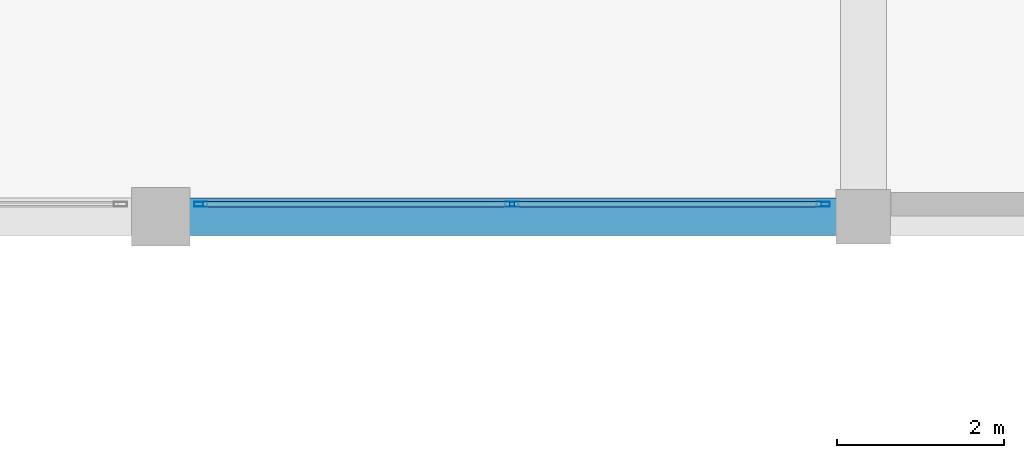
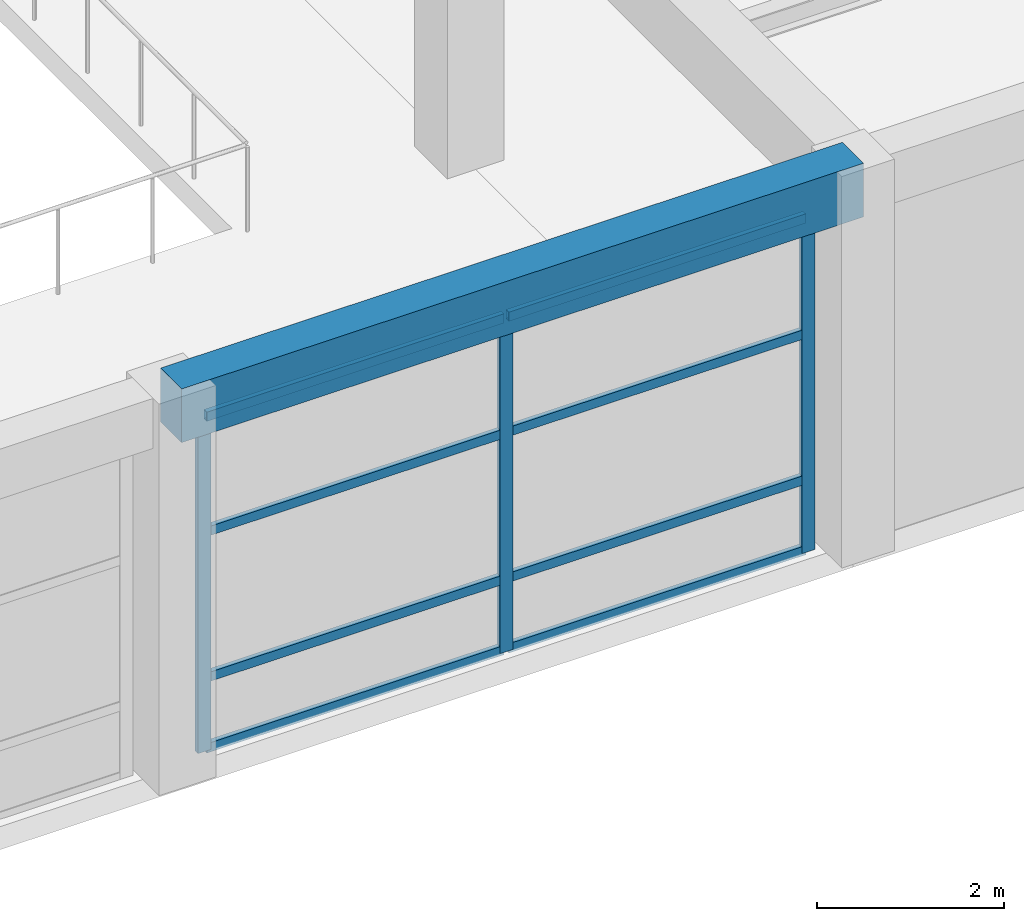
# One storey, part 14 of 65: 11 members, 1 beam, 1 element without a shape of its own.
"""IFC4 building model written with IfcOpenShell, lengths in metres."""

from ifc_helpers import new_model, si_unit, direction, frame, origin, origin_2d, place, context, subcontext, project, spatial, rectangle, hollow_rectangle, extrude, material, material_profile, profile_set, type_object, element, aggregate, save


model = new_model("IFC4")

# Units and contexts
model_context = context("Model", 3, precision=1e-05, world=origin(), true_north=direction((0.0, 1.0)))
body_context = subcontext(model_context, "Body", "Model", "MODEL_VIEW")
ifc_project = project(units=[si_unit("LENGTHUNIT", "METRE"), si_unit("AREAUNIT", "SQUARE_METRE"), si_unit("VOLUMEUNIT", "CUBIC_METRE"), si_unit("PLANEANGLEUNIT", "RADIAN"), si_unit("MASSUNIT", "GRAM", prefix="KILO")], contexts=[model_context])

# Site, building, storey
site_placement = place(None, origin())
site = spatial("IfcSite", under=ifc_project, at=site_placement, CompositionType="ELEMENT")
building_placement = place(site_placement, origin())
building = spatial("IfcBuilding", under=site, at=building_placement, Name="Almacenes y Pasaje Nevantli", CompositionType="ELEMENT")
storey_placement = place(building_placement, frame((0.0, 0.0, 16.800048828125)))
storey = spatial("IfcBuildingStorey", under=building, at=storey_placement, Name="L04", CompositionType="ELEMENT", Elevation=16.800048828125)

# Beam
ifc_material_1 = material(Name="Concrete C35/45", Category="concrete")
ifc_material_profile_1 = material_profile(ifc_material_1, rectangle(XDim=0.449951171875, YDim=0.699951171875, at=origin_2d()), Name="RC-BM-450x700")
ifc_profile_set_1 = profile_set([ifc_material_profile_1], Name="Concrete C35/45")
beam_type = type_object("IfcBeamType", Name="BM-RC-450x700", PredefinedType="SPANDREL", material=ifc_profile_set_1)
beam_placement = place(storey_placement, frame((84.0, 0.0, 4.75), z_axis=(1.0, 0.0, 0.0), x_axis=(0.0, 1.0, 0.0)))
element("IfcBeam", 1, at=beam_placement, inside=storey, type_object=beam_type, Name="L04 East-West Reinforced Concrete Beam #2757", PredefinedType="SPANDREL", context=body_context, shape_type="SweptSolid", body=[
    extrude(rectangle(XDim=0.449951171875, YDim=0.699951171875, at=origin_2d()), origin(), (0.0, 0.0, 1.0), 8.39990234375),
])

# Curtain wall, members
ifc_material_2 = material(Name="Thermally Broken Aluminium and Low-E Glass", Category="aluminium")
curtain_wall_type = type_object("IfcCurtainWallType", Name="CW-STF-ARCADE", PredefinedType="USERDEFINED", material=ifc_material_2)
curtain_wall_placement = place(storey_placement, origin())
curtain_wall = element("IfcCurtainWall", 2, at=curtain_wall_placement, inside=storey, type_object=curtain_wall_type, Name="L04 South Arcade Portal Curtain Wall Bay 11", ObjectType="STOREFRONT GLAZING", PredefinedType="USERDEFINED")
ifc_material_3 = material(Name="Thermally Broken Anodized Aluminium", Category="aluminium")
ifc_material_profile_2 = material_profile(ifc_material_3, hollow_rectangle(XDim=0.06005859375, YDim=0.159912109375, WallThickness=0.00390625, at=origin_2d()), Name="ALU-MUL-60x160")
ifc_profile_set_2 = profile_set([ifc_material_profile_2], Name="Thermally Broken Anodized Aluminium")
member_type_1 = type_object("IfcMemberType", Name="CW-MUL-180", PredefinedType="MULLION", material=ifc_profile_set_2)
member_1_placement = place(storey_placement, frame((84.47998046875, 0.14990234375, 0.0), z_axis=(0.0, 0.0, 1.0), x_axis=(0.0, 1.0, 0.0)))
member_1 = element("IfcMember", 3, at=member_1_placement, type_object=member_type_1, Name="CW-L04-072 mullion 1", PredefinedType="MULLION", context=body_context, shape_type="SweptSolid", body=[
    extrude(hollow_rectangle(XDim=0.06005859375, YDim=0.159912109375, WallThickness=0.00390625, at=origin_2d()), origin(), (0.0, 0.0, 1.0), 4.3798828125),
])
member_2_placement = place(storey_placement, frame((88.199951171875, 0.14990234375, 0.0), z_axis=(0.0, 0.0, 1.0), x_axis=(0.0, 1.0, 0.0)))
member_2 = element("IfcMember", 4, at=member_2_placement, type_object=member_type_1, Name="CW-L04-072 mullion 2", PredefinedType="MULLION", context=body_context, shape_type="SweptSolid", body=[
    extrude(hollow_rectangle(XDim=0.06005859375, YDim=0.159912109375, WallThickness=0.00390625, at=origin_2d()), origin(), (0.0, 0.0, 1.0), 4.3798828125),
])
member_3_placement = place(storey_placement, frame((91.919921875, 0.14990234375, 0.0), z_axis=(0.0, 0.0, 1.0), x_axis=(0.0, 1.0, 0.0)))
member_3 = element("IfcMember", 5, at=member_3_placement, type_object=member_type_1, Name="CW-L04-072 mullion 3", PredefinedType="MULLION", context=body_context, shape_type="SweptSolid", body=[
    extrude(hollow_rectangle(XDim=0.06005859375, YDim=0.159912109375, WallThickness=0.00390625, at=origin_2d()), origin(), (0.0, 0.0, 1.0), 4.3798828125),
])
ifc_material_4 = material(Name="Thermally Broken Anodized Aluminium", Category="aluminium")
ifc_material_profile_3 = material_profile(ifc_material_4, hollow_rectangle(XDim=0.06005859375, YDim=0.1201171875, WallThickness=0.00341796875, at=origin_2d()), Name="ALU-TRN-60x120")
ifc_profile_set_3 = profile_set([ifc_material_profile_3], Name="Thermally Broken Anodized Aluminium")
member_type_2 = type_object("IfcMemberType", Name="CW-TRN-130", PredefinedType="USERDEFINED", material=ifc_profile_set_3)
member_4_placement = place(storey_placement, frame((84.510009765625, 0.14990234375, 0.030029296875), z_axis=(1.0, 0.0, 0.0), x_axis=(0.0, 1.0, 0.0)))
member_4 = element("IfcMember", 6, at=member_4_placement, type_object=member_type_2, Name="CW-L04-072 transom 1.1", ObjectType="TRANSOM", PredefinedType="USERDEFINED", context=body_context, shape_type="SweptSolid", body=[
    extrude(hollow_rectangle(XDim=0.06005859375, YDim=0.1201171875, WallThickness=0.00341796875, at=origin_2d()), origin(), (0.0, 0.0, 1.0), 3.659912109375),
])
member_5_placement = place(storey_placement, frame((84.510009765625, 0.14990234375, 0.949951171875), z_axis=(1.0, 0.0, 0.0), x_axis=(0.0, 1.0, 0.0)))
member_5 = element("IfcMember", 7, at=member_5_placement, type_object=member_type_2, Name="CW-L04-072 transom 1.2", ObjectType="TRANSOM", PredefinedType="USERDEFINED", context=body_context, shape_type="SweptSolid", body=[
    extrude(hollow_rectangle(XDim=0.06005859375, YDim=0.1201171875, WallThickness=0.00341796875, at=origin_2d()), origin(), (0.0, 0.0, 1.0), 3.659912109375),
])
member_6_placement = place(storey_placement, frame((84.510009765625, 0.14990234375, 2.849853515625), z_axis=(1.0, 0.0, 0.0), x_axis=(0.0, 1.0, 0.0)))
member_6 = element("IfcMember", 8, at=member_6_placement, type_object=member_type_2, Name="CW-L04-072 transom 1.3", ObjectType="TRANSOM", PredefinedType="USERDEFINED", context=body_context, shape_type="SweptSolid", body=[
    extrude(hollow_rectangle(XDim=0.06005859375, YDim=0.1201171875, WallThickness=0.00341796875, at=origin_2d()), origin(), (0.0, 0.0, 1.0), 3.659912109375),
])
member_7_placement = place(storey_placement, frame((84.510009765625, 0.14990234375, 4.349853515625), z_axis=(1.0, 0.0, 0.0), x_axis=(0.0, 1.0, 0.0)))
member_7 = element("IfcMember", 9, at=member_7_placement, type_object=member_type_2, Name="CW-L04-072 transom 1.4", ObjectType="TRANSOM", PredefinedType="USERDEFINED", context=body_context, shape_type="SweptSolid", body=[
    extrude(hollow_rectangle(XDim=0.06005859375, YDim=0.1201171875, WallThickness=0.00341796875, at=origin_2d()), origin(), (0.0, 0.0, 1.0), 3.659912109375),
])
member_8_placement = place(storey_placement, frame((88.22998046875, 0.14990234375, 0.030029296875), z_axis=(1.0, 0.0, 0.0), x_axis=(0.0, 1.0, 0.0)))
member_8 = element("IfcMember", 10, at=member_8_placement, type_object=member_type_2, Name="CW-L04-072 transom 2.1", ObjectType="TRANSOM", PredefinedType="USERDEFINED", context=body_context, shape_type="SweptSolid", body=[
    extrude(hollow_rectangle(XDim=0.06005859375, YDim=0.1201171875, WallThickness=0.00341796875, at=origin_2d()), origin(), (0.0, 0.0, 1.0), 3.659912109375),
])
member_9_placement = place(storey_placement, frame((88.22998046875, 0.14990234375, 0.949951171875), z_axis=(1.0, 0.0, 0.0), x_axis=(0.0, 1.0, 0.0)))
member_9 = element("IfcMember", 11, at=member_9_placement, type_object=member_type_2, Name="CW-L04-072 transom 2.2", ObjectType="TRANSOM", PredefinedType="USERDEFINED", context=body_context, shape_type="SweptSolid", body=[
    extrude(hollow_rectangle(XDim=0.06005859375, YDim=0.1201171875, WallThickness=0.00341796875, at=origin_2d()), origin(), (0.0, 0.0, 1.0), 3.659912109375),
])
member_10_placement = place(storey_placement, frame((88.22998046875, 0.14990234375, 2.849853515625), z_axis=(1.0, 0.0, 0.0), x_axis=(0.0, 1.0, 0.0)))
member_10 = element("IfcMember", 12, at=member_10_placement, type_object=member_type_2, Name="CW-L04-072 transom 2.3", ObjectType="TRANSOM", PredefinedType="USERDEFINED", context=body_context, shape_type="SweptSolid", body=[
    extrude(hollow_rectangle(XDim=0.06005859375, YDim=0.1201171875, WallThickness=0.00341796875, at=origin_2d()), origin(), (0.0, 0.0, 1.0), 3.659912109375),
])
member_11_placement = place(storey_placement, frame((88.22998046875, 0.14990234375, 4.349853515625), z_axis=(1.0, 0.0, 0.0), x_axis=(0.0, 1.0, 0.0)))
member_11 = element("IfcMember", 13, at=member_11_placement, type_object=member_type_2, Name="CW-L04-072 transom 2.4", ObjectType="TRANSOM", PredefinedType="USERDEFINED", context=body_context, shape_type="SweptSolid", body=[
    extrude(hollow_rectangle(XDim=0.06005859375, YDim=0.1201171875, WallThickness=0.00341796875, at=origin_2d()), origin(), (0.0, 0.0, 1.0), 3.659912109375),
])
aggregate(curtain_wall, [member_1, member_2, member_3, member_4, member_5, member_6, member_7, member_8, member_9, member_10, member_11])

save(model, "model.ifc")
